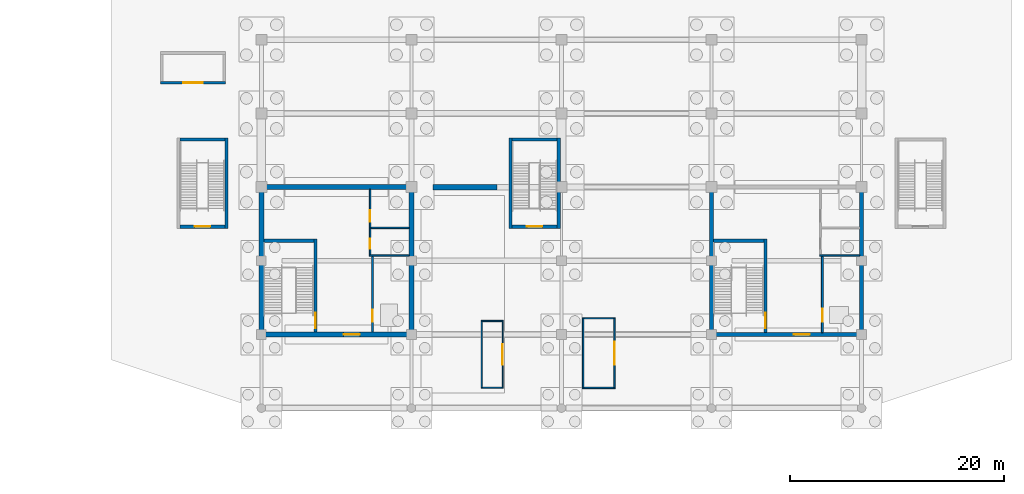
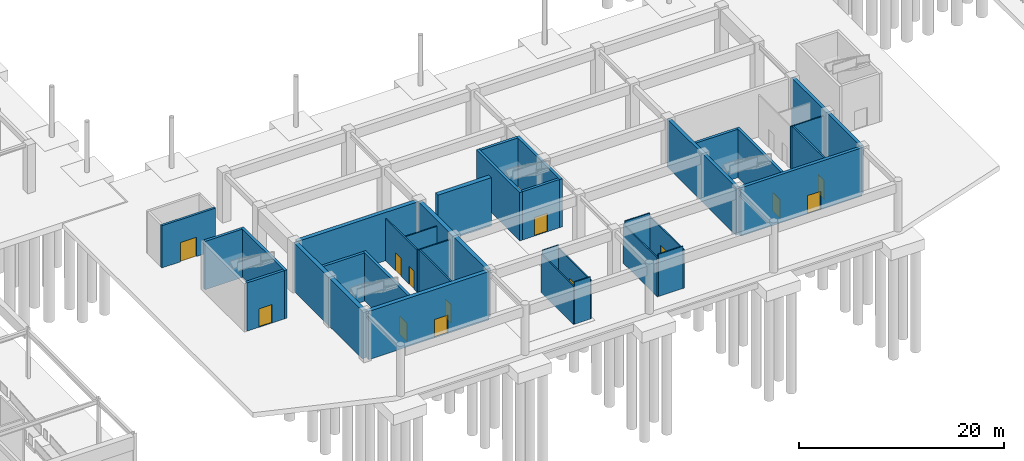
# One storey, part 39 of 62: 34 walls, 13 doors, 13 openings.
"""IFC4 building model written with IfcOpenShell, lengths in metres."""

from ifc_helpers import new_model, si_unit, direction, frame, frame_2d, origin, place, context, subcontext, project, spatial, rectangle, extrude, material, layer, layer_set, type_object, element, fill, save


model = new_model("IFC4")

# Units and contexts
model_context = context("Model", 3, precision=1e-05, world=origin(), true_north=direction((0.0, 1.0)))
body_context = subcontext(model_context, "Body", "Model", "MODEL_VIEW")
ifc_project = project(units=[si_unit("LENGTHUNIT", "METRE"), si_unit("AREAUNIT", "SQUARE_METRE"), si_unit("VOLUMEUNIT", "CUBIC_METRE"), si_unit("PLANEANGLEUNIT", "RADIAN"), si_unit("MASSUNIT", "GRAM", prefix="KILO")], contexts=[model_context])

# Site, building, storey
site_placement = place(None, origin())
site = spatial("IfcSite", under=ifc_project, at=site_placement, CompositionType="ELEMENT")
building_placement = place(site_placement, origin())
building = spatial("IfcBuilding", under=site, at=building_placement, Name="Linyun Crest Stadium", CompositionType="ELEMENT")
storey_placement = place(building_placement, frame((0.0, 0.0, -6.0)))
storey = spatial("IfcBuildingStorey", under=building, at=storey_placement, Name="B1", CompositionType="ELEMENT", Elevation=-6.0)

# Walls
ifc_material_1 = material(Name="Concrete C50", Category="concrete")
ifc_layer_1 = layer(ifc_material_1, 0.35009765625)
ifc_layer_set_1 = layer_set([ifc_layer_1], Name="Concrete C50")
wall_type_1 = type_object("IfcWallType", Name="CW01", PredefinedType="SHEAR", material=ifc_layer_set_1)
for number, where, z_axis, x_axis, name in (
    (1, (14.0, -87.074951171875, 0.0), (0.0, 0.0, 1.0), (0.0, 1.0, 0.0), "Core shear wall CW01 CORE-S2 B1.1"),
    (2, (28.0, -87.074951171875, 0.0), (0.0, 0.0, 1.0), (0.0, 1.0, 0.0), "Core shear wall CW01 CORE-S2 B1.2"),
):
    element("IfcWall", number, at=place(storey_placement, frame(where, z_axis=z_axis, x_axis=x_axis)), inside=storey, type_object=wall_type_1, Name=name, PredefinedType="SHEAR", context=body_context, shape_type="SweptSolid", body=[
        extrude(rectangle(XDim=13.39990234375, YDim=0.35009765625, at=frame_2d((6.699951171875, 0.0))), origin(), (0.0, 0.0, 1.0), 5.75),
    ])

# Wall, opening, door
wall_1_placement = place(storey_placement, frame((14.175048828125, -87.25, 0.0), z_axis=(0.0, 0.0, 1.0), x_axis=(1.0, 0.0, 0.0)))
wall_1 = element("IfcWall", 3, at=wall_1_placement, inside=storey, type_object=wall_type_1, Name="Core shear wall CW01 CORE-S2 B1.3", PredefinedType="SHEAR", context=body_context, shape_type="SweptSolid", body=[
    extrude(rectangle(XDim=13.64990234375, YDim=0.35009765625, at=frame_2d((6.824951171875, 0.0))), origin(), (0.0, 0.0, 1.0), 5.75),
])
opening_1_placement = place(wall_1_placement, frame((7.507080078125, 0.0, 0.0)))
opening_1 = element("IfcOpeningElement", 4, at=opening_1_placement, cuts=wall_1, Name="Opening D-B1-341", PredefinedType="OPENING", context=body_context, shape_type="SweptSolid", body=[
    extrude(rectangle(XDim=1.5, YDim=2.199951171875, at=frame_2d((0.75, 1.10009765625))), frame((0.0, 0.18505859375, 0.0), z_axis=(0.0, -1.0, 0.0), x_axis=(1.0, 0.0, 0.0)), (0.0, 0.0, 1.0), 0.3701171875),
])
ifc_material_2 = material(Name="Galvanized steel Class A fire door", Category="steel")
ifc_layer_2 = layer(ifc_material_2, 0.054931640625)
ifc_layer_set_2 = layer_set([ifc_layer_2], Name="Galvanized steel Class A fire door")
door_type_1 = type_object("IfcDoorType", Name="FD01", OperationType="NOTDEFINED", PredefinedType="DOOR", material=ifc_layer_set_2)
door_1_placement = place(opening_1_placement, origin())
door_1 = element("IfcDoor", 5, at=door_1_placement, inside=storey, type_object=door_type_1, Name="Door D-B1-341", OperationType="SINGLE_SWING_LEFT", OverallHeight=2.199951171875, OverallWidth=1.5, PredefinedType="DOOR", context=body_context, shape_type="SweptSolid", body=[
    extrude(rectangle(XDim=1.5, YDim=2.199951171875, at=frame_2d((0.75, 1.10009765625))), frame((0.0, 0.02490234375, 0.0), z_axis=(0.0, -1.0, 0.0), x_axis=(1.0, 0.0, 0.0)), (0.0, 0.0, 1.0), 0.050048828125),
])
fill(opening_1, door_1)

# Walls
ifc_material_3 = material(Name="Concrete C50", Category="concrete")
ifc_layer_3 = layer(ifc_material_3, 0.449951171875)
ifc_layer_set_3 = layer_set([ifc_layer_3], Name="Concrete C50")
wall_type_2 = type_object("IfcWallType", Name="CW03", PredefinedType="SHEAR", material=ifc_layer_set_3)
for number, where, z_axis, x_axis, name in (
    (6, (-28.0, -87.02490234375, 0.0), (0.0, 0.0, 1.0), (0.0, 1.0, 0.0), "Core shear wall CW03 CORE-S1 B1.1"),
    (7, (-14.0, -87.02490234375, 0.0), (0.0, 0.0, 1.0), (0.0, 1.0, 0.0), "Core shear wall CW03 CORE-S1 B1.2"),
):
    element("IfcWall", number, at=place(storey_placement, frame(where, z_axis=z_axis, x_axis=x_axis)), inside=storey, type_object=wall_type_2, Name=name, PredefinedType="SHEAR", context=body_context, shape_type="SweptSolid", body=[
        extrude(rectangle(XDim=13.2998046875, YDim=0.449951171875, at=frame_2d((6.64990234375, 0.0))), origin(), (0.0, 0.0, 1.0), 5.75),
    ])

# Wall, opening, door
wall_2_placement = place(storey_placement, frame((-27.77490234375, -87.25, 0.0), z_axis=(0.0, 0.0, 1.0), x_axis=(1.0, 0.0, 0.0)))
wall_2 = element("IfcWall", 8, at=wall_2_placement, inside=storey, type_object=wall_type_2, Name="Core shear wall CW03 CORE-S1 B1.3", PredefinedType="SHEAR", context=body_context, shape_type="SweptSolid", body=[
    extrude(rectangle(XDim=13.5498046875, YDim=0.449951171875, at=frame_2d((6.77490234375, 0.0))), origin(), (0.0, 0.0, 1.0), 5.75),
])
opening_2_placement = place(wall_2_placement, frame((7.451904296875, 0.0, 0.0)))
opening_2 = element("IfcOpeningElement", 9, at=opening_2_placement, cuts=wall_2, Name="Opening D-B1-316", PredefinedType="OPENING", context=body_context, shape_type="SweptSolid", body=[
    extrude(rectangle(XDim=1.5, YDim=2.199951171875, at=frame_2d((0.75, 1.10009765625))), frame((0.0, 0.23486328125, 0.0), z_axis=(0.0, -1.0, 0.0), x_axis=(1.0, 0.0, 0.0)), (0.0, 0.0, 1.0), 0.469970703125),
])
door_2_placement = place(opening_2_placement, origin())
door_2 = element("IfcDoor", 10, at=door_2_placement, inside=storey, type_object=door_type_1, Name="Door D-B1-316", OperationType="SINGLE_SWING_RIGHT", OverallHeight=2.199951171875, OverallWidth=1.5, PredefinedType="DOOR", context=body_context, shape_type="SweptSolid", body=[
    extrude(rectangle(XDim=1.5, YDim=2.199951171875, at=frame_2d((0.75, 1.10009765625))), frame((0.0, 0.02490234375, 0.0), z_axis=(0.0, -1.0, 0.0), x_axis=(1.0, 0.0, 0.0)), (0.0, 0.0, 1.0), 0.050048828125),
])
fill(opening_2, door_2)

# Wall
wall_3_placement = place(storey_placement, frame((-27.77490234375, -73.5, 0.0), z_axis=(0.0, 0.0, 1.0), x_axis=(1.0, 0.0, 0.0)))
element("IfcWall", 11, at=wall_3_placement, inside=storey, type_object=wall_type_2, Name="Core shear wall CW03 CORE-S1 B1.4", PredefinedType="SHEAR", context=body_context, shape_type="SweptSolid", body=[
    extrude(rectangle(XDim=13.5498046875, YDim=0.449951171875, at=frame_2d((6.77490234375, 0.0))), origin(), (0.0, 0.0, 1.0), 5.75),
])

# Wall, opening, door
ifc_material_4 = material(Name="Autoclaved aerated concrete block fire partition", Category="concrete")
ifc_layer_4 = layer(ifc_material_4, 0.179931640625)
ifc_layer_set_4 = layer_set([ifc_layer_4], Name="Autoclaved aerated concrete block fire partition")
wall_type_3 = type_object("IfcWallType", Name="PW12", PredefinedType="PARTITIONING", material=ifc_layer_set_4)
wall_4_placement = place(storey_placement, frame((-17.64990234375, -87.02490234375, 0.0), z_axis=(0.0, 0.0, 1.0), x_axis=(0.0, 1.0, 0.0)))
wall_4 = element("IfcWall", 12, at=wall_4_placement, inside=storey, type_object=wall_type_3, Name="Partition PW12 B1 111", PredefinedType="PARTITIONING", context=body_context, shape_type="SweptSolid", body=[
    extrude(rectangle(XDim=7.054931640625, YDim=0.179931640625, at=frame_2d((3.52734375, 0.0))), origin(), (0.0, 0.0, 1.0), 5.02001953125),
])
opening_3_placement = place(wall_4_placement, frame((0.97509765625, 0.0, 0.0)))
opening_3 = element("IfcOpeningElement", 13, at=opening_3_placement, cuts=wall_4, Name="Opening LD097", PredefinedType="OPENING", context=body_context, shape_type="SweptSolid", body=[
    extrude(rectangle(XDim=1.10009765625, YDim=2.199951171875, at=frame_2d((0.550048828125, 1.10009765625))), frame((0.0, 0.099853515625, 0.0), z_axis=(0.0, -1.0, 0.0), x_axis=(1.0, 0.0, 0.0)), (0.0, 0.0, 1.0), 0.199951171875),
])
ifc_material_5 = material(Name="Brushed stainless sliding lift door")
ifc_layer_5 = layer(ifc_material_5, 0.050048828125)
ifc_layer_set_5 = layer_set([ifc_layer_5], Name="Brushed stainless sliding lift door")
door_type_2 = type_object("IfcDoorType", Name="LD01", OperationType="NOTDEFINED", PredefinedType="DOOR", material=ifc_layer_set_5)
door_3_placement = place(opening_3_placement, origin())
door_3 = element("IfcDoor", 14, at=door_3_placement, inside=storey, type_object=door_type_2, Name="Lift landing door LD097", OperationType="DOUBLE_DOOR_SLIDING", OverallHeight=2.199951171875, OverallWidth=1.10009765625, PredefinedType="DOOR", context=body_context, shape_type="SweptSolid", body=[
    extrude(rectangle(XDim=1.10009765625, YDim=2.199951171875, at=frame_2d((0.550048828125, 1.10009765625))), frame((0.0, 0.02490234375, 0.0), z_axis=(0.0, -1.0, 0.0), x_axis=(1.0, 0.0, 0.0)), (0.0, 0.0, 1.0), 0.050048828125),
])
fill(opening_3, door_3)

wall_5_placement = place(storey_placement, frame((24.35009765625, -87.074951171875, 0.0), z_axis=(0.0, 0.0, 1.0), x_axis=(0.0, 1.0, 0.0)))
wall_5 = element("IfcWall", 15, at=wall_5_placement, inside=storey, type_object=wall_type_3, Name="Partition PW12 B1 121", PredefinedType="PARTITIONING", context=body_context, shape_type="SweptSolid", body=[
    extrude(rectangle(XDim=7.10498046875, YDim=0.179931640625, at=frame_2d((3.552490234375, 0.0))), origin(), (0.0, 0.0, 1.0), 5.02001953125),
])
opening_4_placement = place(wall_5_placement, frame((1.02490234375, 0.0, 0.0)))
opening_4 = element("IfcOpeningElement", 16, at=opening_4_placement, cuts=wall_5, Name="Opening LD102", PredefinedType="OPENING", context=body_context, shape_type="SweptSolid", body=[
    extrude(rectangle(XDim=1.199951171875, YDim=2.25, at=frame_2d((0.60009765625, 1.125))), frame((0.0, 0.099853515625, 0.0), z_axis=(0.0, -1.0, 0.0), x_axis=(1.0, 0.0, 0.0)), (0.0, 0.0, 1.0), 0.199951171875),
])
ifc_material_6 = material(Name="Brushed stainless sliding lift door")
ifc_layer_6 = layer(ifc_material_6, 0.050048828125)
ifc_layer_set_6 = layer_set([ifc_layer_6], Name="Brushed stainless sliding lift door")
door_type_3 = type_object("IfcDoorType", Name="LD02", OperationType="NOTDEFINED", PredefinedType="DOOR", material=ifc_layer_set_6)
door_4_placement = place(opening_4_placement, origin())
door_4 = element("IfcDoor", 17, at=door_4_placement, inside=storey, type_object=door_type_3, Name="Lift landing door LD102", OperationType="DOUBLE_DOOR_SLIDING", OverallHeight=2.25, OverallWidth=1.199951171875, PredefinedType="DOOR", context=body_context, shape_type="SweptSolid", body=[
    extrude(rectangle(XDim=1.199951171875, YDim=2.25, at=frame_2d((0.60009765625, 1.125))), frame((0.0, 0.02490234375, 0.0), z_axis=(0.0, -1.0, 0.0), x_axis=(1.0, 0.0, 0.0)), (0.0, 0.0, 1.0), 0.050048828125),
])
fill(opening_4, door_4)

# Wall, openings, doors
ifc_material_7 = material(Name="Moisture-resistant ceramic-tiled wet-room wall")
ifc_layer_7 = layer(ifc_material_7, 0.139892578125)
ifc_layer_set_7 = layer_set([ifc_layer_7], Name="Moisture-resistant ceramic-tiled wet-room wall")
wall_type_4 = type_object("IfcWallType", Name="PW15", PredefinedType="PARTITIONING", material=ifc_layer_set_7)
wall_6_placement = place(storey_placement, frame((-17.85009765625, -79.830078125, 0.0), z_axis=(0.0, 0.0, 1.0), x_axis=(0.0, 1.0, 0.0)))
wall_6 = element("IfcWall", 18, at=wall_6_placement, inside=storey, type_object=wall_type_4, Name="Partition PW15 B1 112", PredefinedType="PARTITIONING", context=body_context, shape_type="SweptSolid", body=[
    extrude(rectangle(XDim=6.10498046875, YDim=0.139892578125, at=frame_2d((3.052490234375, 0.0))), origin(), (0.0, 0.0, 1.0), 5.02001953125),
])
opening_5_placement = place(wall_6_placement, frame((0.580078125, 0.0, 0.0)))
opening_5 = element("IfcOpeningElement", 19, at=opening_5_placement, cuts=wall_6, Name="Opening D-B1-319", PredefinedType="OPENING", context=body_context, shape_type="SweptSolid", body=[
    extrude(rectangle(XDim=0.949951171875, YDim=2.14990234375, at=frame_2d((0.47509765625, 1.074951171875))), frame((0.0, 0.079833984375, 0.0), z_axis=(0.0, -1.0, 0.0), x_axis=(1.0, 0.0, 0.0)), (0.0, 0.0, 1.0), 0.159912109375),
])
opening_6_placement = place(wall_6_placement, frame((3.080078125, 0.0, 0.0)))
opening_6 = element("IfcOpeningElement", 20, at=opening_6_placement, cuts=wall_6, Name="Opening D-B1-320", PredefinedType="OPENING", context=body_context, shape_type="SweptSolid", body=[
    extrude(rectangle(XDim=1.10009765625, YDim=2.14990234375, at=frame_2d((0.550048828125, 1.074951171875))), frame((0.0, 0.079833984375, 0.0), z_axis=(0.0, -1.0, 0.0), x_axis=(1.0, 0.0, 0.0)), (0.0, 0.0, 1.0), 0.159912109375),
])
ifc_material_8 = material(Name="Moisture-resistant laminate leaf")
ifc_layer_8 = layer(ifc_material_8, 0.044921875)
ifc_layer_set_8 = layer_set([ifc_layer_8], Name="Moisture-resistant laminate leaf")
door_type_4 = type_object("IfcDoorType", Name="ID02", OperationType="NOTDEFINED", PredefinedType="DOOR", material=ifc_layer_set_8)
door_5_placement = place(opening_5_placement, origin())
door_5 = element("IfcDoor", 21, at=door_5_placement, inside=storey, type_object=door_type_4, Name="Door D-B1-319", OperationType="SINGLE_SWING_LEFT", OverallHeight=2.14990234375, OverallWidth=0.949951171875, PredefinedType="DOOR", context=body_context, shape_type="SweptSolid", body=[
    extrude(rectangle(XDim=0.949951171875, YDim=2.14990234375, at=frame_2d((0.47509765625, 1.074951171875))), frame((0.0, 0.02490234375, 0.0), z_axis=(0.0, -1.0, 0.0), x_axis=(1.0, 0.0, 0.0)), (0.0, 0.0, 1.0), 0.050048828125),
])
fill(opening_5, door_5)
ifc_material_9 = material(Name="Moisture-resistant laminate leaf")
ifc_layer_9 = layer(ifc_material_9, 0.044921875)
ifc_layer_set_9 = layer_set([ifc_layer_9], Name="Moisture-resistant laminate leaf")
door_type_5 = type_object("IfcDoorType", Name="ID03", OperationType="NOTDEFINED", PredefinedType="DOOR", material=ifc_layer_set_9)
door_6_placement = place(opening_6_placement, origin())
door_6 = element("IfcDoor", 22, at=door_6_placement, inside=storey, type_object=door_type_5, Name="Door D-B1-320", OperationType="SINGLE_SWING_RIGHT", OverallHeight=2.14990234375, OverallWidth=1.10009765625, PredefinedType="DOOR", context=body_context, shape_type="SweptSolid", body=[
    extrude(rectangle(XDim=1.10009765625, YDim=2.14990234375, at=frame_2d((0.550048828125, 1.074951171875))), frame((0.0, 0.02490234375, 0.0), z_axis=(0.0, -1.0, 0.0), x_axis=(1.0, 0.0, 0.0)), (0.0, 0.0, 1.0), 0.050048828125),
])
fill(opening_6, door_6)

# Walls
wall_7_placement = place(storey_placement, frame((-17.919921875, -79.89990234375, 0.0), z_axis=(0.0, 0.0, 1.0), x_axis=(1.0, 0.0, 0.0)))
element("IfcWall", 23, at=wall_7_placement, inside=storey, type_object=wall_type_4, Name="Enclosure partition PW15 B1 103", PredefinedType="PARTITIONING", context=body_context, shape_type="SweptSolid", body=[
    extrude(rectangle(XDim=3.69482421875, YDim=0.139892578125, at=frame_2d((1.847412109375, 0.0))), origin(), (0.0, 0.0, 1.0), 5.02001953125),
])
wall_8_placement = place(storey_placement, frame((-17.780029296875, -77.300048828125, 0.0), z_axis=(0.0, 0.0, 1.0), x_axis=(1.0, 0.0, 0.0)))
element("IfcWall", 24, at=wall_8_placement, inside=storey, type_object=wall_type_4, Name="Enclosure partition PW15 B1 104", PredefinedType="PARTITIONING", context=body_context, shape_type="SweptSolid", body=[
    extrude(rectangle(XDim=3.554931640625, YDim=0.139892578125, at=frame_2d((1.77734375, 0.0))), origin(), (0.0, 0.0, 1.0), 5.02001953125),
])
wall_9_placement = place(storey_placement, frame((24.080078125, -79.89990234375, 0.0), z_axis=(0.0, 0.0, 1.0), x_axis=(1.0, 0.0, 0.0)))
element("IfcWall", 25, at=wall_9_placement, inside=storey, type_object=wall_type_4, Name="Enclosure partition PW15 B1 113", PredefinedType="PARTITIONING", context=body_context, shape_type="SweptSolid", body=[
    extrude(rectangle(XDim=3.744873046875, YDim=0.139892578125, at=frame_2d((1.87255859375, 0.0))), origin(), (0.0, 0.0, 1.0), 5.02001953125),
])

# Wall, opening, door
ifc_material_10 = material(Name="Plant room acoustic masonry partition", Category="masonry")
ifc_layer_10 = layer(ifc_material_10, 0.2451171875)
ifc_layer_set_10 = layer_set([ifc_layer_10], Name="Plant room acoustic masonry partition")
wall_type_5 = type_object("IfcWallType", Name="PW20", PredefinedType="PARTITIONING", material=ifc_layer_set_10)
wall_10_placement = place(storey_placement, frame((-31.361083984375, -63.763916015625, 0.0), z_axis=(0.0, 0.0, 1.0), x_axis=(-1.0, 0.0, 0.0)))
wall_10 = element("IfcWall", 26, at=wall_10_placement, inside=storey, type_object=wall_type_5, Name="Partition PW20 B1 153", PredefinedType="PARTITIONING", context=body_context, shape_type="SweptSolid", body=[
    extrude(rectangle(XDim=6.0498046875, YDim=0.2451171875, at=frame_2d((3.02490234375, 0.0))), origin(), (0.0, 0.0, 1.0), 5.02001953125),
])
opening_7_placement = place(wall_10_placement, frame((2.125, 0.0, 0.0)))
opening_7 = element("IfcOpeningElement", 27, at=opening_7_placement, cuts=wall_10, Name="Opening D-B1-416", PredefinedType="OPENING", context=body_context, shape_type="SweptSolid", body=[
    extrude(rectangle(XDim=1.800048828125, YDim=2.300048828125, at=frame_2d((0.89990234375, 1.14990234375))), frame((0.0, 0.132568359375, 0.0), z_axis=(0.0, -1.0, 0.0), x_axis=(1.0, 0.0, 0.0)), (0.0, 0.0, 1.0), 0.26513671875),
])
ifc_material_11 = material(Name="Double-leaf steel plant fire door", Category="steel")
ifc_layer_11 = layer(ifc_material_11, 0.06005859375)
ifc_layer_set_11 = layer_set([ifc_layer_11], Name="Double-leaf steel plant fire door")
door_type_6 = type_object("IfcDoorType", Name="FD04", OperationType="NOTDEFINED", PredefinedType="DOOR", material=ifc_layer_set_11)
door_7_placement = place(opening_7_placement, origin())
door_7 = element("IfcDoor", 28, at=door_7_placement, inside=storey, type_object=door_type_6, Name="Door D-B1-416", OperationType="DOUBLE_DOOR_SINGLE_SWING", OverallHeight=2.300048828125, OverallWidth=1.800048828125, PredefinedType="DOOR", context=body_context, shape_type="SweptSolid", body=[
    extrude(rectangle(XDim=1.800048828125, YDim=2.300048828125, at=frame_2d((0.89990234375, 1.14990234375))), frame((0.0, 0.02490234375, 0.0), z_axis=(0.0, -1.0, 0.0), x_axis=(1.0, 0.0, 0.0)), (0.0, 0.0, 1.0), 0.050048828125),
])
fill(opening_7, door_7)

ifc_material_12 = material(Name="Glazed hospitality salon screen partition")
ifc_layer_12 = layer(ifc_material_12, 0.114990234375)
ifc_layer_set_12 = layer_set([ifc_layer_12], Name="Glazed hospitality salon screen partition")
wall_type_6 = type_object("IfcWallType", Name="PW21", PredefinedType="PARTITIONING", material=ifc_layer_set_12)
wall_11_placement = place(storey_placement, frame((-5.491943359375, -85.947998046875, 0.0), z_axis=(0.0, 0.0, 1.0), x_axis=(0.0, -1.0, 0.0)))
wall_11 = element("IfcWall", 29, at=wall_11_placement, inside=storey, type_object=wall_type_6, Name="Partition PW21 B1 154", PredefinedType="PARTITIONING", context=body_context, shape_type="SweptSolid", body=[
    extrude(rectangle(XDim=6.340087890625, YDim=0.114990234375, at=frame_2d((3.169921875, 0.0))), origin(), (0.0, 0.0, 1.0), 4.625),
])
opening_8_placement = place(wall_11_placement, frame((2.195068359375, 0.0, 0.0)))
opening_8 = element("IfcOpeningElement", 30, at=opening_8_placement, cuts=wall_11, Name="Opening D-B1-417", PredefinedType="OPENING", context=body_context, shape_type="SweptSolid", body=[
    extrude(rectangle(XDim=1.949951171875, YDim=2.35009765625, at=frame_2d((0.97509765625, 1.175048828125))), frame((0.0, 0.0673828125, 0.0), z_axis=(0.0, -1.0, 0.0), x_axis=(1.0, 0.0, 0.0)), (0.0, 0.0, 1.0), 0.135009765625),
])
ifc_material_13 = material(Name="Arched glazed cafe double door")
ifc_layer_13 = layer(ifc_material_13, 0.054931640625)
ifc_layer_set_13 = layer_set([ifc_layer_13], Name="Arched glazed cafe double door")
door_type_7 = type_object("IfcDoorType", Name="ID17", OperationType="NOTDEFINED", PredefinedType="DOOR", material=ifc_layer_set_13)
door_8_placement = place(opening_8_placement, origin())
door_8 = element("IfcDoor", 31, at=door_8_placement, inside=storey, type_object=door_type_7, Name="Door D-B1-417", OperationType="DOUBLE_DOOR_SINGLE_SWING", OverallHeight=2.35009765625, OverallWidth=1.949951171875, PredefinedType="DOOR", context=body_context, shape_type="SweptSolid", body=[
    extrude(rectangle(XDim=1.949951171875, YDim=2.35009765625, at=frame_2d((0.97509765625, 1.175048828125))), frame((0.0, 0.02490234375, 0.0), z_axis=(0.0, -1.0, 0.0), x_axis=(1.0, 0.0, 0.0)), (0.0, 0.0, 1.0), 0.050048828125),
])
fill(opening_8, door_8)

# Walls
wall_12_placement = place(storey_placement, frame((-7.431884765625, -92.2880859375, 0.0), z_axis=(0.0, 0.0, 1.0), x_axis=(0.0, 1.0, 0.0)))
element("IfcWall", 32, at=wall_12_placement, inside=storey, type_object=wall_type_6, Name="Enclosure partition PW21 B1 178", PredefinedType="PARTITIONING", context=body_context, shape_type="SweptSolid", body=[
    extrude(rectangle(XDim=6.340087890625, YDim=0.114990234375, at=frame_2d((3.169921875, 0.0))), origin(), (0.0, 0.0, 1.0), 4.625),
])
for number, where, z_axis, x_axis, name in (
    (33, (-7.3740234375, -92.22998046875, 0.0), (0.0, 0.0, 1.0), (1.0, 0.0, 0.0), "Enclosure partition PW21 B1 179"),
    (34, (-7.3740234375, -86.006103515625, 0.0), (0.0, 0.0, 1.0), (1.0, 0.0, 0.0), "Enclosure partition PW21 B1 180"),
):
    element("IfcWall", number, at=place(storey_placement, frame(where, z_axis=z_axis, x_axis=x_axis)), inside=storey, type_object=wall_type_6, Name=name, PredefinedType="PARTITIONING", context=body_context, shape_type="SweptSolid", body=[
        extrude(rectangle(XDim=1.823974609375, YDim=0.114990234375, at=frame_2d((0.912109375, 0.0))), origin(), (0.0, 0.0, 1.0), 5.02001953125),
    ])

# Wall, opening, door
ifc_material_14 = material(Name="Acoustic commentary booth partition")
ifc_layer_14 = layer(ifc_material_14, 0.1298828125)
ifc_layer_set_14 = layer_set([ifc_layer_14], Name="Acoustic commentary booth partition")
wall_type_7 = type_object("IfcWallType", Name="PW22", PredefinedType="PARTITIONING", material=ifc_layer_set_14)
wall_13_placement = place(storey_placement, frame((4.93310546875, -85.6708984375, 0.0), z_axis=(0.0, 0.0, 1.0), x_axis=(0.0, -1.0, 0.0)))
wall_13 = element("IfcWall", 35, at=wall_13_placement, inside=storey, type_object=wall_type_7, Name="Partition PW22 B1 155", PredefinedType="PARTITIONING", context=body_context, shape_type="SweptSolid", body=[
    extrude(rectangle(XDim=6.630126953125, YDim=0.1298828125, at=frame_2d((3.31494140625, 0.0))), origin(), (0.0, 0.0, 1.0), 4.625),
])
opening_9_placement = place(wall_13_placement, frame((2.239990234375, 0.0, 0.0)))
opening_9 = element("IfcOpeningElement", 36, at=opening_9_placement, cuts=wall_13, Name="Opening D-B1-418", PredefinedType="OPENING", context=body_context, shape_type="SweptSolid", body=[
    extrude(rectangle(XDim=2.14990234375, YDim=2.449951171875, at=frame_2d((1.074951171875, 1.22509765625))), frame((0.0, 0.074951171875, 0.0), z_axis=(0.0, -1.0, 0.0), x_axis=(1.0, 0.0, 0.0)), (0.0, 0.0, 1.0), 0.14990234375),
])
ifc_material_15 = material(Name="Anodized aluminium retail door", Category="aluminium")
ifc_layer_15 = layer(ifc_material_15, 0.054931640625)
ifc_layer_set_15 = layer_set([ifc_layer_15], Name="Anodized aluminium retail door")
door_type_8 = type_object("IfcDoorType", Name="ID18", OperationType="NOTDEFINED", PredefinedType="DOOR", material=ifc_layer_set_15)
door_9_placement = place(opening_9_placement, origin())
door_9 = element("IfcDoor", 37, at=door_9_placement, inside=storey, type_object=door_type_8, Name="Door D-B1-418", OperationType="DOUBLE_DOOR_SINGLE_SWING", OverallHeight=2.449951171875, OverallWidth=2.14990234375, PredefinedType="DOOR", context=body_context, shape_type="SweptSolid", body=[
    extrude(rectangle(XDim=2.14990234375, YDim=2.449951171875, at=frame_2d((1.074951171875, 1.22509765625))), frame((0.0, 0.02490234375, 0.0), z_axis=(0.0, -1.0, 0.0), x_axis=(1.0, 0.0, 0.0)), (0.0, 0.0, 1.0), 0.050048828125),
])
fill(opening_9, door_9)

# Walls
wall_14_placement = place(storey_placement, frame((2.012939453125, -92.301025390625, 0.0), z_axis=(0.0, 0.0, 1.0), x_axis=(0.0, 1.0, 0.0)))
element("IfcWall", 38, at=wall_14_placement, inside=storey, type_object=wall_type_7, Name="Enclosure partition PW22 B1 181", PredefinedType="PARTITIONING", context=body_context, shape_type="SweptSolid", body=[
    extrude(rectangle(XDim=6.630126953125, YDim=0.1298828125, at=frame_2d((3.31494140625, 0.0))), origin(), (0.0, 0.0, 1.0), 4.625),
])
for number, where, z_axis, x_axis, name in (
    (39, (2.077880859375, -92.236083984375, 0.0), (0.0, 0.0, 1.0), (1.0, 0.0, 0.0), "Enclosure partition PW22 B1 182"),
    (40, (2.077880859375, -85.736083984375, 0.0), (0.0, 0.0, 1.0), (1.0, 0.0, 0.0), "Enclosure partition PW22 B1 183"),
):
    element("IfcWall", number, at=place(storey_placement, frame(where, z_axis=z_axis, x_axis=x_axis)), inside=storey, type_object=wall_type_7, Name=name, PredefinedType="PARTITIONING", context=body_context, shape_type="SweptSolid", body=[
        extrude(rectangle(XDim=2.7900390625, YDim=0.1298828125, at=frame_2d((1.39501953125, 0.0))), origin(), (0.0, 0.0, 1.0), 5.02001953125),
    ])

# Wall, opening, door
ifc_material_16 = material(Name="Concrete C50", Category="concrete")
ifc_layer_16 = layer(ifc_material_16, 0.300048828125)
ifc_layer_set_16 = layer_set([ifc_layer_16], Name="Concrete C50")
wall_type_8 = type_object("IfcWallType", Name="SW01", PredefinedType="SHEAR", material=ifc_layer_set_16)
wall_15_placement = place(storey_placement, frame((-22.949951171875, -87.02490234375, 0.0), z_axis=(0.0, 0.0, 1.0), x_axis=(0.0, 1.0, 0.0)))
wall_15 = element("IfcWall", 41, at=wall_15_placement, inside=storey, type_object=wall_type_8, Name="Core stair east bearing wall SW01 9 B1", PredefinedType="SHEAR", context=body_context, shape_type="SweptSolid", body=[
    extrude(rectangle(XDim=8.6748046875, YDim=0.300048828125, at=frame_2d((4.33740234375, 0.0))), origin(), (0.0, 0.0, 1.0), 5.75),
])
opening_10_placement = place(wall_15_placement, frame((0.344970703125, 0.0, 0.0)))
opening_10 = element("IfcOpeningElement", 42, at=opening_10_placement, cuts=wall_15, Name="Opening D-B1-317", PredefinedType="OPENING", context=body_context, shape_type="SweptSolid", body=[
    extrude(rectangle(XDim=1.449951171875, YDim=2.199951171875, at=frame_2d((0.72509765625, 1.10009765625))), frame((0.0, 0.159912109375, 0.0), z_axis=(0.0, -1.0, 0.0), x_axis=(1.0, 0.0, 0.0)), (0.0, 0.0, 1.0), 0.320068359375),
])
ifc_material_17 = material(Name="Galvanized steel Class A fire door", Category="steel")
ifc_layer_17 = layer(ifc_material_17, 0.054931640625)
ifc_layer_set_17 = layer_set([ifc_layer_17], Name="Galvanized steel Class A fire door")
door_type_9 = type_object("IfcDoorType", Name="FD02", OperationType="NOTDEFINED", PredefinedType="DOOR", material=ifc_layer_set_17)
door_10_placement = place(opening_10_placement, origin())
door_10 = element("IfcDoor", 43, at=door_10_placement, inside=storey, type_object=door_type_9, Name="Door D-B1-317", OperationType="SINGLE_SWING_LEFT", OverallHeight=2.199951171875, OverallWidth=1.449951171875, PredefinedType="DOOR", context=body_context, shape_type="SweptSolid", body=[
    extrude(rectangle(XDim=1.449951171875, YDim=2.199951171875, at=frame_2d((0.72509765625, 1.10009765625))), frame((0.0, 0.02490234375, 0.0), z_axis=(0.0, -1.0, 0.0), x_axis=(1.0, 0.0, 0.0)), (0.0, 0.0, 1.0), 0.050048828125),
])
fill(opening_10, door_10)

wall_16_placement = place(storey_placement, frame((19.050048828125, -87.074951171875, 0.0), z_axis=(0.0, 0.0, 1.0), x_axis=(0.0, 1.0, 0.0)))
wall_16 = element("IfcWall", 44, at=wall_16_placement, inside=storey, type_object=wall_type_8, Name="Core stair east bearing wall SW01 10 B1", PredefinedType="SHEAR", context=body_context, shape_type="SweptSolid", body=[
    extrude(rectangle(XDim=8.724853515625, YDim=0.300048828125, at=frame_2d((4.3623046875, 0.0))), origin(), (0.0, 0.0, 1.0), 5.75),
])
opening_11_placement = place(wall_16_placement, frame((0.39501953125, 0.0, 0.0)))
opening_11 = element("IfcOpeningElement", 45, at=opening_11_placement, cuts=wall_16, Name="Opening D-B1-342", PredefinedType="OPENING", context=body_context, shape_type="SweptSolid", body=[
    extrude(rectangle(XDim=1.449951171875, YDim=2.199951171875, at=frame_2d((0.72509765625, 1.10009765625))), frame((0.0, 0.159912109375, 0.0), z_axis=(0.0, -1.0, 0.0), x_axis=(1.0, 0.0, 0.0)), (0.0, 0.0, 1.0), 0.320068359375),
])
door_11_placement = place(opening_11_placement, origin())
door_11 = element("IfcDoor", 46, at=door_11_placement, inside=storey, type_object=door_type_9, Name="Door D-B1-342", OperationType="SINGLE_SWING_RIGHT", OverallHeight=2.199951171875, OverallWidth=1.449951171875, PredefinedType="DOOR", context=body_context, shape_type="SweptSolid", body=[
    extrude(rectangle(XDim=1.449951171875, YDim=2.199951171875, at=frame_2d((0.72509765625, 1.10009765625))), frame((0.0, 0.02490234375, 0.0), z_axis=(0.0, -1.0, 0.0), x_axis=(1.0, 0.0, 0.0)), (0.0, 0.0, 1.0), 0.050048828125),
])
fill(opening_11, door_11)

# Walls
wall_17_placement = place(storey_placement, frame((-27.77490234375, -78.5, 0.0), z_axis=(0.0, 0.0, 1.0), x_axis=(1.0, 0.0, 0.0)))
element("IfcWall", 47, at=wall_17_placement, inside=storey, type_object=wall_type_8, Name="Core stair bearing wall SW01 9 B1", PredefinedType="SHEAR", context=body_context, shape_type="SweptSolid", body=[
    extrude(rectangle(XDim=4.6748046875, YDim=0.300048828125, at=frame_2d((2.33740234375, 0.0))), origin(), (0.0, 0.0, 1.0), 5.75),
])
wall_18_placement = place(storey_placement, frame((14.175048828125, -78.5, 0.0), z_axis=(0.0, 0.0, 1.0), x_axis=(1.0, 0.0, 0.0)))
element("IfcWall", 48, at=wall_18_placement, inside=storey, type_object=wall_type_8, Name="Core stair bearing wall SW01 10 B1", PredefinedType="SHEAR", context=body_context, shape_type="SweptSolid", body=[
    extrude(rectangle(XDim=4.724853515625, YDim=0.300048828125, at=frame_2d((2.3623046875, 0.0))), origin(), (0.0, 0.0, 1.0), 5.75),
])

# Wall, opening, door
wall_19_placement = place(storey_placement, frame((-35.60009765625, -77.199951171875, 0.0), z_axis=(0.0, 0.0, 1.0), x_axis=(1.0, 0.0, 0.0)))
wall_19 = element("IfcWall", 49, at=wall_19_placement, inside=storey, type_object=wall_type_8, Name="Stair shaft wall SW01 STR-27 B1 S", PredefinedType="SHEAR", context=body_context, shape_type="SweptSolid", body=[
    extrude(rectangle(XDim=4.2001953125, YDim=0.300048828125, at=frame_2d((2.10009765625, 0.0))), origin(), (0.0, 0.0, 1.0), 5.75),
])
opening_12_placement = place(wall_19_placement, frame((1.375, 0.0, 0.0)))
opening_12 = element("IfcOpeningElement", 50, at=opening_12_placement, cuts=wall_19, Name="Opening D-B1-616", PredefinedType="OPENING", context=body_context, shape_type="SweptSolid", body=[
    extrude(rectangle(XDim=1.449951171875, YDim=2.199951171875, at=frame_2d((0.72509765625, 1.10009765625))), frame((0.0, 0.159912109375, 0.0), z_axis=(0.0, -1.0, 0.0), x_axis=(1.0, 0.0, 0.0)), (0.0, 0.0, 1.0), 0.320068359375),
])
door_12_placement = place(opening_12_placement, origin())
door_12 = element("IfcDoor", 51, at=door_12_placement, inside=storey, type_object=door_type_9, Name="Door D-B1-616", OperationType="SINGLE_SWING_RIGHT", OverallHeight=2.199951171875, OverallWidth=1.449951171875, PredefinedType="DOOR", context=body_context, shape_type="SweptSolid", body=[
    extrude(rectangle(XDim=1.449951171875, YDim=2.199951171875, at=frame_2d((0.72509765625, 1.10009765625))), frame((0.0, 0.02490234375, 0.0), z_axis=(0.0, -1.0, 0.0), x_axis=(1.0, 0.0, 0.0)), (0.0, 0.0, 1.0), 0.050048828125),
])
fill(opening_12, door_12)

# Walls
wall_20_placement = place(storey_placement, frame((-35.60009765625, -69.050048828125, 0.0), z_axis=(0.0, 0.0, 1.0), x_axis=(1.0, 0.0, 0.0)))
element("IfcWall", 52, at=wall_20_placement, inside=storey, type_object=wall_type_8, Name="Stair shaft wall SW01 STR-27 B1 N", PredefinedType="SHEAR", context=body_context, shape_type="SweptSolid", body=[
    extrude(rectangle(XDim=4.2001953125, YDim=0.300048828125, at=frame_2d((2.10009765625, 0.0))), origin(), (0.0, 0.0, 1.0), 5.75),
])
wall_21_placement = place(storey_placement, frame((-31.25, -77.35009765625, 0.0), z_axis=(0.0, 0.0, 1.0), x_axis=(0.0, 1.0, 0.0)))
element("IfcWall", 53, at=wall_21_placement, inside=storey, type_object=wall_type_8, Name="Stair shaft wall SW01 STR-27 B1 E", PredefinedType="SHEAR", context=body_context, shape_type="SweptSolid", body=[
    extrude(rectangle(XDim=8.4501953125, YDim=0.300048828125, at=frame_2d((4.22509765625, 0.0))), origin(), (0.0, 0.0, 1.0), 5.75),
])

# Wall, opening, door
wall_22_placement = place(storey_placement, frame((-4.60009765625, -77.199951171875, 0.0), z_axis=(0.0, 0.0, 1.0), x_axis=(1.0, 0.0, 0.0)))
wall_22 = element("IfcWall", 54, at=wall_22_placement, inside=storey, type_object=wall_type_8, Name="Stair shaft wall SW01 STR-28 B1 S", PredefinedType="SHEAR", context=body_context, shape_type="SweptSolid", body=[
    extrude(rectangle(XDim=4.2001953125, YDim=0.300048828125, at=frame_2d((2.10009765625, 0.0))), origin(), (0.0, 0.0, 1.0), 5.75),
])
opening_13_placement = place(wall_22_placement, frame((1.375, 0.0, 0.0)))
opening_13 = element("IfcOpeningElement", 55, at=opening_13_placement, cuts=wall_22, Name="Opening D-B1-620", PredefinedType="OPENING", context=body_context, shape_type="SweptSolid", body=[
    extrude(rectangle(XDim=1.449951171875, YDim=2.199951171875, at=frame_2d((0.72509765625, 1.10009765625))), frame((0.0, 0.159912109375, 0.0), z_axis=(0.0, -1.0, 0.0), x_axis=(1.0, 0.0, 0.0)), (0.0, 0.0, 1.0), 0.320068359375),
])
door_13_placement = place(opening_13_placement, origin())
door_13 = element("IfcDoor", 56, at=door_13_placement, inside=storey, type_object=door_type_9, Name="Door D-B1-620", OperationType="SINGLE_SWING_RIGHT", OverallHeight=2.199951171875, OverallWidth=1.449951171875, PredefinedType="DOOR", context=body_context, shape_type="SweptSolid", body=[
    extrude(rectangle(XDim=1.449951171875, YDim=2.199951171875, at=frame_2d((0.72509765625, 1.10009765625))), frame((0.0, 0.02490234375, 0.0), z_axis=(0.0, -1.0, 0.0), x_axis=(1.0, 0.0, 0.0)), (0.0, 0.0, 1.0), 0.050048828125),
])
fill(opening_13, door_13)

# Walls
wall_23_placement = place(storey_placement, frame((-4.60009765625, -69.050048828125, 0.0), z_axis=(0.0, 0.0, 1.0), x_axis=(1.0, 0.0, 0.0)))
element("IfcWall", 57, at=wall_23_placement, inside=storey, type_object=wall_type_8, Name="Stair shaft wall SW01 STR-28 B1 N", PredefinedType="SHEAR", context=body_context, shape_type="SweptSolid", body=[
    extrude(rectangle(XDim=4.2001953125, YDim=0.300048828125, at=frame_2d((2.10009765625, 0.0))), origin(), (0.0, 0.0, 1.0), 5.75),
])
for number, where, z_axis, x_axis, name in (
    (58, (-4.75, -77.35009765625, 0.0), (0.0, 0.0, 1.0), (0.0, 1.0, 0.0), "Stair shaft wall SW01 STR-28 B1 W"),
    (59, (-0.25, -77.35009765625, 0.0), (0.0, 0.0, 1.0), (0.0, 1.0, 0.0), "Stair shaft wall SW01 STR-28 B1 E"),
):
    element("IfcWall", number, at=place(storey_placement, frame(where, z_axis=z_axis, x_axis=x_axis)), inside=storey, type_object=wall_type_8, Name=name, PredefinedType="SHEAR", context=body_context, shape_type="SweptSolid", body=[
        extrude(rectangle(XDim=8.4501953125, YDim=0.300048828125, at=frame_2d((4.22509765625, 0.0))), origin(), (0.0, 0.0, 1.0), 5.75),
    ])
ifc_material_18 = material(Name="Concrete C50", Category="concrete")
ifc_layer_18 = layer(ifc_material_18, 0.5)
ifc_layer_set_18 = layer_set([ifc_layer_18], Name="Concrete C50")
wall_type_9 = type_object("IfcWallType", Name="SW03", PredefinedType="SHEAR", material=ifc_layer_set_18)
wall_24_placement = place(storey_placement, frame((-12.0, -73.5, 0.0), z_axis=(0.0, 0.0, 1.0), x_axis=(1.0, 0.0, 0.0)))
element("IfcWall", 60, at=wall_24_placement, inside=storey, type_object=wall_type_9, Name="Shear wall SW03 B1 321", PredefinedType="SHEAR", context=body_context, shape_type="SweptSolid", body=[
    extrude(rectangle(XDim=6.0, YDim=0.5, at=frame_2d((3.0, 0.0))), origin(), (0.0, 0.0, 1.0), 5.75),
])

save(model, "model.ifc")
